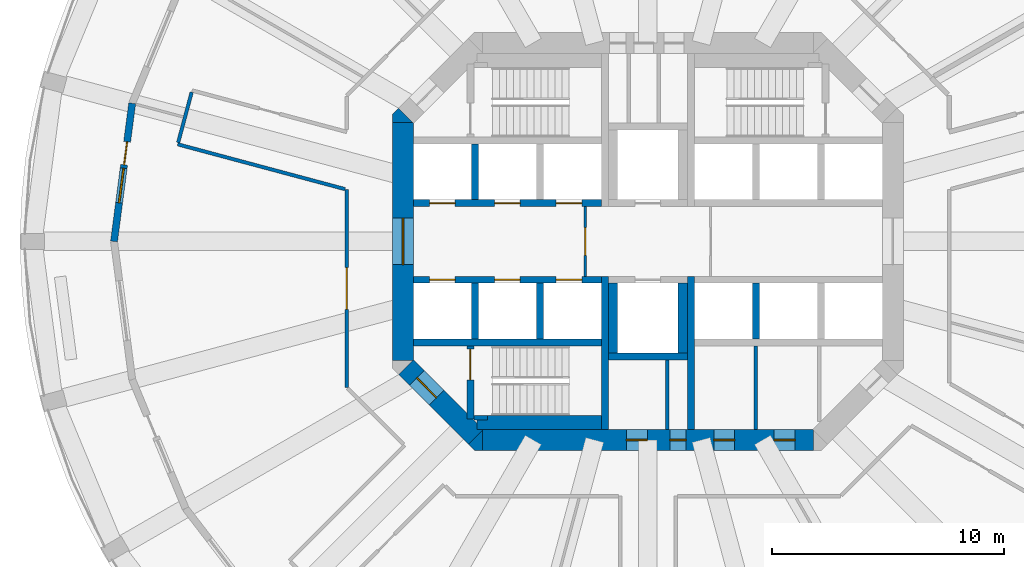
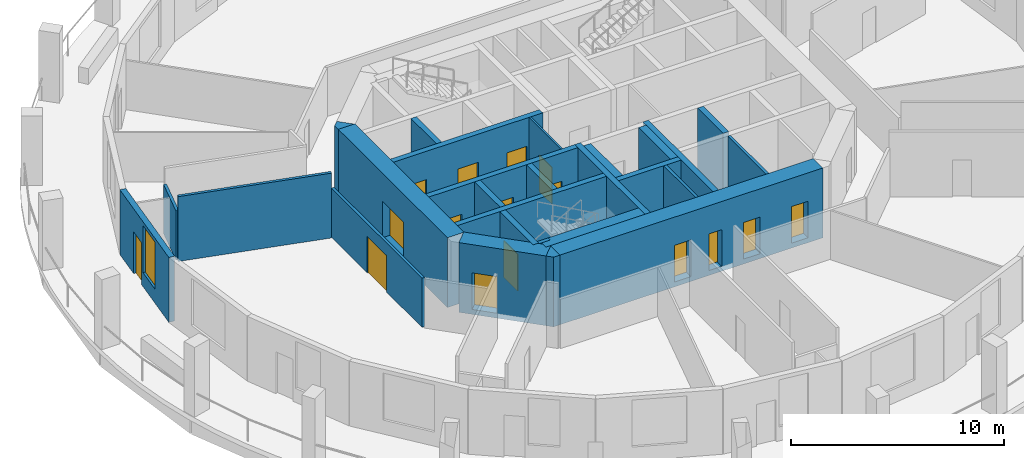
# One storey, part 3 of 9: 27 walls, 16 doors, 1 window, 17 openings.
"""IFC4 building model written with IfcOpenShell, lengths in metres."""

from ifc_helpers import new_model, si_unit, direction, frame, frame_2d, origin, place, context, subcontext, project, spatial, polyline, rectangle, outline, extrude, material, layer, layer_set, type_object, element, fill, save


model = new_model("IFC4")

# Units and contexts
model_context = context("Model", 3, precision=1e-05, world=origin(), true_north=direction((0.0, 1.0)))
body_context = subcontext(model_context, "Body", "Model", "MODEL_VIEW")
ifc_project = project(units=[si_unit("LENGTHUNIT", "METRE"), si_unit("AREAUNIT", "SQUARE_METRE"), si_unit("VOLUMEUNIT", "CUBIC_METRE"), si_unit("PLANEANGLEUNIT", "RADIAN"), si_unit("MASSUNIT", "GRAM", prefix="KILO")], contexts=[model_context])

# Site, building, storey
site_placement = place(None, origin())
site = spatial("IfcSite", under=ifc_project, at=site_placement, CompositionType="ELEMENT")
building_placement = place(site_placement, origin())
building = spatial("IfcBuilding", under=site, at=building_placement, Name="Torre Triforio", CompositionType="ELEMENT")
storey_placement = place(building_placement, frame((0.0, 0.0, 43.0)))
storey = spatial("IfcBuildingStorey", under=building, at=storey_placement, Name="L08", CompositionType="ELEMENT", Elevation=43.0)

# Walls
ifc_material_1 = material(Name="Concrete C60", Category="concrete")
ifc_layer_1 = layer(ifc_material_1, 0.300048828125)
ifc_layer_set_1 = layer_set([ifc_layer_1], Name="Concrete C60")
wall_type_1 = type_object("IfcWallType", Name="Core wall 300 mm C60 EI 120", PredefinedType="SHEAR", material=ifc_layer_set_1)
for number, where, z_axis, x_axis, name in (
    (1, (-1.85009765625, -8.10009765625, 0.0), (0.0, 0.0, 1.0), (0.0, 1.0, 0.0), "Core wall"),
    (2, (1.85009765625, -8.10009765625, 0.0), (0.0, 0.0, 1.0), (0.0, 1.0, 0.0), "Core wall"),
):
    element("IfcWall", number, at=place(storey_placement, frame(where, z_axis=z_axis, x_axis=x_axis)), inside=storey, type_object=wall_type_1, Name=name, PredefinedType="SHEAR", context=body_context, shape_type="SweptSolid", body=[
        extrude(rectangle(XDim=6.60009765625, YDim=0.300048828125, at=frame_2d((3.300048828125, 0.0))), origin(), (0.0, 0.0, 1.0), 3.719970703125),
    ])

# Wall, openings, doors
ifc_layer_2 = layer(ifc_material_1, 0.89990234375)
ifc_layer_set_2 = layer_set([ifc_layer_2], Name="Concrete C60")
wall_type_2 = type_object("IfcWallType", Name="Core wall 900 mm C60 EI 120", PredefinedType="SHEAR", material=ifc_layer_set_2)
wall_1_placement = place(storey_placement, frame((-7.1298828125, -8.550048828125, -0.280029296875), z_axis=(0.0, 0.0, 1.0), x_axis=(1.0, 0.0, 0.0)))
wall_1 = element("IfcWall", 3, at=wall_1_placement, inside=storey, type_object=wall_type_2, Name="Core wall", PredefinedType="SHEAR", context=body_context, shape_type="SweptSolid", body=[
    extrude(rectangle(XDim=14.259765625, YDim=0.89990234375, at=frame_2d((7.1298828125, 0.0))), origin(), (0.0, 0.0, 1.0), 4.0),
])
opening_1_placement = place(wall_1_placement, frame((8.080078125, 0.0, 0.280029296875)))
opening_1 = element("IfcOpeningElement", 4, at=opening_1_placement, cuts=wall_1, Name="Opening RISER-S", PredefinedType="OPENING", context=body_context, shape_type="SweptSolid", body=[
    extrude(rectangle(XDim=0.699951171875, YDim=2.10009765625, at=frame_2d((0.35009765625, 1.050048828125))), frame((0.0, 0.4599609375, 0.0), z_axis=(0.0, -1.0, 0.0), x_axis=(1.0, 0.0, 0.0)), (0.0, 0.0, 1.0), 0.919921875),
])
opening_2_placement = place(wall_1_placement, frame((6.205078125, 0.0, 0.280029296875)))
opening_2 = element("IfcOpeningElement", 5, at=opening_2_placement, cuts=wall_1, Name="Opening SW-01B", PredefinedType="OPENING", context=body_context, shape_type="SweptSolid", body=[
    extrude(rectangle(XDim=0.89990234375, YDim=2.10009765625, at=frame_2d((0.449951171875, 1.050048828125))), frame((0.0, 0.4599609375, 0.0), z_axis=(0.0, -1.0, 0.0), x_axis=(1.0, 0.0, 0.0)), (0.0, 0.0, 1.0), 0.919921875),
])
opening_3_placement = place(wall_1_placement, frame((9.967041015625, 0.0, 0.280029296875)))
opening_3 = element("IfcOpeningElement", 6, at=opening_3_placement, cuts=wall_1, Name="Opening SE-01A", PredefinedType="OPENING", context=body_context, shape_type="SweptSolid", body=[
    extrude(rectangle(XDim=0.89990234375, YDim=2.10009765625, at=frame_2d((0.449951171875, 1.050048828125))), frame((0.0, 0.4599609375, 0.0), z_axis=(0.0, -1.0, 0.0), x_axis=(1.0, 0.0, 0.0)), (0.0, 0.0, 1.0), 0.919921875),
])
opening_4_placement = place(wall_1_placement, frame((12.56689453125, 0.0, 0.280029296875)))
opening_4 = element("IfcOpeningElement", 7, at=opening_4_placement, cuts=wall_1, Name="Opening SE-02", PredefinedType="OPENING", context=body_context, shape_type="SweptSolid", body=[
    extrude(rectangle(XDim=0.89990234375, YDim=2.10009765625, at=frame_2d((0.449951171875, 1.050048828125))), frame((0.0, 0.4599609375, 0.0), z_axis=(0.0, -1.0, 0.0), x_axis=(1.0, 0.0, 0.0)), (0.0, 0.0, 1.0), 0.919921875),
])
ifc_material_2 = material(Name="Hollow metal fire door leaf")
door_type_1 = type_object("IfcDoorType", Name="Riser door 700 x 2100 EI 60", OperationType="NOTDEFINED", PredefinedType="DOOR", material=ifc_material_2)
door_1_placement = place(opening_1_placement, origin())
door_1 = element("IfcDoor", 8, at=door_1_placement, inside=storey, type_object=door_type_1, Name="Core door RISER-S", OperationType="SINGLE_SWING_RIGHT", OverallHeight=2.10009765625, OverallWidth=0.699951171875, PredefinedType="DOOR", context=body_context, shape_type="SweptSolid", body=[
    extrude(rectangle(XDim=0.699951171875, YDim=2.10009765625, at=frame_2d((0.35009765625, 1.050048828125))), frame((0.0, 0.02490234375, 0.0), z_axis=(0.0, -1.0, 0.0), x_axis=(1.0, 0.0, 0.0)), (0.0, 0.0, 1.0), 0.050048828125),
])
fill(opening_1, door_1)
door_type_2 = type_object("IfcDoorType", Name="Room door 900 x 2100 EI 60", OperationType="NOTDEFINED", PredefinedType="DOOR", material=ifc_material_2)
door_2_placement = place(opening_2_placement, origin())
door_2 = element("IfcDoor", 9, at=door_2_placement, inside=storey, type_object=door_type_2, Name="Core door SW-01", OperationType="SINGLE_SWING_LEFT", OverallHeight=2.10009765625, OverallWidth=0.89990234375, PredefinedType="DOOR", context=body_context, shape_type="SweptSolid", body=[
    extrude(rectangle(XDim=0.89990234375, YDim=2.10009765625, at=frame_2d((0.449951171875, 1.050048828125))), frame((0.0, 0.02490234375, 0.0), z_axis=(0.0, -1.0, 0.0), x_axis=(1.0, 0.0, 0.0)), (0.0, 0.0, 1.0), 0.050048828125),
])
fill(opening_2, door_2)
door_3_placement = place(opening_3_placement, origin())
door_3 = element("IfcDoor", 10, at=door_3_placement, inside=storey, type_object=door_type_2, Name="Core door SE-01", OperationType="SINGLE_SWING_LEFT", OverallHeight=2.10009765625, OverallWidth=0.89990234375, PredefinedType="DOOR", context=body_context, shape_type="SweptSolid", body=[
    extrude(rectangle(XDim=0.89990234375, YDim=2.10009765625, at=frame_2d((0.449951171875, 1.050048828125))), frame((0.0, 0.02490234375, 0.0), z_axis=(0.0, -1.0, 0.0), x_axis=(1.0, 0.0, 0.0)), (0.0, 0.0, 1.0), 0.050048828125),
])
fill(opening_3, door_3)
door_4_placement = place(opening_4_placement, origin())
door_4 = element("IfcDoor", 11, at=door_4_placement, inside=storey, type_object=door_type_2, Name="Core door SE-02", OperationType="SINGLE_SWING_LEFT", OverallHeight=2.10009765625, OverallWidth=0.89990234375, PredefinedType="DOOR", context=body_context, shape_type="SweptSolid", body=[
    extrude(rectangle(XDim=0.89990234375, YDim=2.10009765625, at=frame_2d((0.449951171875, 1.050048828125))), frame((0.0, 0.02490234375, 0.0), z_axis=(0.0, -1.0, 0.0), x_axis=(1.0, 0.0, 0.0)), (0.0, 0.0, 1.0), 0.050048828125),
])
fill(opening_4, door_4)

# Wall, opening, door
wall_2_placement = place(storey_placement, frame((-10.550048828125, -5.1298828125, -0.280029296875), z_axis=(0.0, 0.0, 1.0), x_axis=(0.0, 1.0, 0.0)))
wall_2 = element("IfcWall", 12, at=wall_2_placement, inside=storey, type_object=wall_type_2, Name="Core wall", PredefinedType="SHEAR", context=body_context, shape_type="SweptSolid", body=[
    extrude(rectangle(XDim=10.259765625, YDim=0.89990234375, at=frame_2d((5.1298828125, 0.0))), origin(), (0.0, 0.0, 1.0), 4.0),
])
opening_5_placement = place(wall_2_placement, frame((4.1298828125, 0.0, 0.280029296875)))
opening_5 = element("IfcOpeningElement", 13, at=opening_5_placement, cuts=wall_2, Name="Opening W-RING", PredefinedType="OPENING", context=body_context, shape_type="SweptSolid", body=[
    extrude(rectangle(XDim=2.0, YDim=2.10009765625, at=frame_2d((1.0, 1.050048828125))), frame((0.0, 0.4599609375, 0.0), z_axis=(0.0, -1.0, 0.0), x_axis=(1.0, 0.0, 0.0)), (0.0, 0.0, 1.0), 0.919921875),
])
door_type_3 = type_object("IfcDoorType", Name="Lobby door 2000 x 2100 EI 60", OperationType="DOUBLE_DOOR_SINGLE_SWING", PredefinedType="DOOR", material=ifc_material_2)
door_5_placement = place(opening_5_placement, origin())
door_5 = element("IfcDoor", 14, at=door_5_placement, inside=storey, type_object=door_type_3, Name="Core door W-RING", OperationType="DOUBLE_DOOR_SINGLE_SWING", OverallHeight=2.10009765625, OverallWidth=2.0, PredefinedType="DOOR", context=body_context, shape_type="SweptSolid", body=[
    extrude(rectangle(XDim=2.0, YDim=2.10009765625, at=frame_2d((1.0, 1.050048828125))), frame((0.0, 0.02490234375, 0.0), z_axis=(0.0, -1.0, 0.0), x_axis=(1.0, 0.0, 0.0)), (0.0, 0.0, 1.0), 0.050048828125),
])
fill(opening_5, door_5)

wall_3_placement = place(storey_placement, frame((-7.418212890625, -8.418212890625, -0.280029296875), z_axis=(0.0, 0.0, 1.0), x_axis=(-0.707106781187, 0.707106781187, 0.0)))
wall_3 = element("IfcWall", 15, at=wall_3_placement, inside=storey, type_object=wall_type_2, Name="Core wall", PredefinedType="SHEAR", context=body_context, shape_type="SweptSolid", body=[
    extrude(rectangle(XDim=4.24267578125, YDim=0.89990234375, at=frame_2d((2.121337890625, 0.0))), origin(), (0.0, 0.0, 1.0), 4.0),
])
opening_6_placement = place(wall_3_placement, frame((2.392578125, 0.0, 0.280029296875)))
opening_6 = element("IfcOpeningElement", 16, at=opening_6_placement, cuts=wall_3, Name="Opening ST3-EXIT", PredefinedType="OPENING", context=body_context, shape_type="SweptSolid", body=[
    extrude(rectangle(XDim=1.199951171875, YDim=2.10009765625, at=frame_2d((0.60009765625, 1.050048828125))), frame((0.0, 0.4599609375, 0.0), z_axis=(0.0, -1.0, 0.0), x_axis=(1.0, 0.0, 0.0)), (0.0, 0.0, 1.0), 0.919921875),
])
door_type_4 = type_object("IfcDoorType", Name="Stair lobby door 1200 x 2100 EI 60", OperationType="NOTDEFINED", PredefinedType="DOOR", material=ifc_material_2)
door_6_placement = place(opening_6_placement, origin())
door_6 = element("IfcDoor", 17, at=door_6_placement, inside=storey, type_object=door_type_4, Name="Core door ST3-EXIT", OperationType="SINGLE_SWING_RIGHT", OverallHeight=2.10009765625, OverallWidth=1.199951171875, PredefinedType="DOOR", context=body_context, shape_type="SweptSolid", body=[
    extrude(rectangle(XDim=1.199951171875, YDim=2.10009765625, at=frame_2d((0.60009765625, 1.050048828125))), frame((0.0, 0.02490234375, 0.0), z_axis=(0.0, -1.0, 0.0), x_axis=(1.0, 0.0, 0.0)), (0.0, 0.0, 1.0), 0.050048828125),
])
fill(opening_6, door_6)

# Walls
wall_4_placement = place(storey_placement, frame((0.0, 0.0, -0.280029296875)))
element("IfcWall", 18, at=wall_4_placement, inside=storey, type_object=wall_type_2, Name="Core wall", PredefinedType="SHEAR", context=body_context, shape_type="SweptSolid", body=[
    extrude(outline(polyline([(-7.472900390625, -9.0), (-7.736328125, -8.736328125), (-7.1298828125, -8.1298828125), (-7.1298828125, -9.0), (-7.472900390625, -9.0)])), origin(), (0.0, 0.0, 1.0), 4.0),
])
wall_5_placement = place(storey_placement, frame((0.0, 0.0, -0.280029296875)))
element("IfcWall", 19, at=wall_5_placement, inside=storey, type_object=wall_type_2, Name="Core wall", PredefinedType="SHEAR", context=body_context, shape_type="SweptSolid", body=[
    extrude(outline(polyline([(-10.736328125, 5.736328125), (-10.1298828125, 5.1298828125), (-11.0, 5.1298828125), (-11.0, 5.472900390625), (-10.736328125, 5.736328125)])), origin(), (0.0, 0.0, 1.0), 4.0),
])

# Wall, opening, door
ifc_material_3 = material(Name="Plasterboard on metal studs")
ifc_layer_3 = layer(ifc_material_3, 0.14990234375)
ifc_layer_set_3 = layer_set([ifc_layer_3], Name="Plasterboard on metal studs")
wall_type_3 = type_object("IfcWallType", Name="Corridor and tenancy wall 150 mm EI 60", PredefinedType="PARTITIONING", material=ifc_layer_set_3)
wall_6_placement = place(storey_placement, frame((-12.97509765625, -6.291015625, 0.0), z_axis=(0.0, 0.0, 1.0), x_axis=(0.0, 1.0, 0.0)))
wall_6 = element("IfcWall", 20, at=wall_6_placement, inside=storey, type_object=wall_type_3, Name="Partition 14", PredefinedType="PARTITIONING", context=body_context, shape_type="SweptSolid", body=[
    extrude(rectangle(XDim=8.525390625, YDim=0.14990234375, at=frame_2d((4.2626953125, 0.0))), origin(), (0.0, 0.0, 1.0), 2.820068359375),
])
opening_7_placement = place(wall_6_placement, frame((3.362548828125, 0.0, 0.0)))
opening_7 = element("IfcOpeningElement", 21, at=opening_7_placement, cuts=wall_6, Name="Opening N2-04", PredefinedType="OPENING", context=body_context, shape_type="SweptSolid", body=[
    extrude(rectangle(XDim=1.800048828125, YDim=2.10009765625, at=frame_2d((0.89990234375, 1.050048828125))), frame((0.0, 0.0849609375, 0.0), z_axis=(0.0, -1.0, 0.0), x_axis=(1.0, 0.0, 0.0)), (0.0, 0.0, 1.0), 0.169921875),
])
ifc_material_4 = material(Name="Timber", Category="wood")
door_type_5 = type_object("IfcDoorType", Name="Door 1800 x 2100 double leaf EI 30", OperationType="DOUBLE_DOOR_SINGLE_SWING", PredefinedType="DOOR", material=ifc_material_4)
door_7_placement = place(opening_7_placement, origin())
door_7 = element("IfcDoor", 22, at=door_7_placement, inside=storey, type_object=door_type_5, Name="Door N2-04", OperationType="DOUBLE_DOOR_SINGLE_SWING", OverallHeight=2.10009765625, OverallWidth=1.800048828125, PredefinedType="DOOR", context=body_context, shape_type="SweptSolid", body=[
    extrude(rectangle(XDim=1.800048828125, YDim=2.10009765625, at=frame_2d((0.89990234375, 1.050048828125))), frame((0.0, 0.02490234375, 0.0), z_axis=(0.0, -1.0, 0.0), x_axis=(1.0, 0.0, 0.0)), (0.0, 0.0, 1.0), 0.050048828125),
])
fill(opening_7, door_7)

# Walls
wall_7_placement = place(storey_placement, frame((-13.044921875, 2.253173828125, 0.0), z_axis=(0.0, 0.0, 1.0), x_axis=(-0.965924840231, 0.258822725092, 0.0)))
element("IfcWall", 23, at=wall_7_placement, inside=storey, type_object=wall_type_3, Name="Partition 15", PredefinedType="PARTITIONING", context=body_context, shape_type="SweptSolid", body=[
    extrude(rectangle(XDim=7.465087890625, YDim=0.14990234375, at=frame_2d((3.732421875, 0.0))), origin(), (0.0, 0.0, 1.0), 3.719970703125),
])
wall_8_placement = place(storey_placement, frame((-20.236328125, 4.257568359375, 0.0), z_axis=(0.0, 0.0, 1.0), x_axis=(0.258891558609, 0.965906393436, 0.0)))
element("IfcWall", 24, at=wall_8_placement, inside=storey, type_object=wall_type_3, Name="Partition 16", PredefinedType="PARTITIONING", context=body_context, shape_type="SweptSolid", body=[
    extrude(rectangle(XDim=2.25, YDim=0.14990234375, at=frame_2d((1.125, 0.0))), origin(), (0.0, 0.0, 1.0), 2.820068359375),
])

# Wall, opening, door
ifc_material_5 = material(Name="Block and board partition")
ifc_layer_4 = layer(ifc_material_5, 0.10009765625)
ifc_layer_set_4 = layer_set([ifc_layer_4], Name="Block and board partition")
wall_type_4 = type_object("IfcWallType", Name="Partition 100 mm EI 120", PredefinedType="PARTITIONING", material=ifc_layer_set_4)
wall_9_placement = place(storey_placement, frame((-2.699951171875, -1.5, 0.0), z_axis=(0.0, 0.0, 1.0), x_axis=(0.0, 1.0, 0.0)))
wall_9 = element("IfcWall", 25, at=wall_9_placement, inside=storey, type_object=wall_type_4, Name="Partition", PredefinedType="PARTITIONING", context=body_context, shape_type="SweptSolid", body=[
    extrude(rectangle(XDim=3.0, YDim=0.10009765625, at=frame_2d((1.5, 0.0))), origin(), (0.0, 0.0, 1.0), 3.719970703125),
])
opening_8_placement = place(wall_9_placement, frame((0.89990234375, 0.0, 0.0)))
opening_8 = element("IfcOpeningElement", 26, at=opening_8_placement, cuts=wall_9, Name="Opening FF-W", PredefinedType="OPENING", context=body_context, shape_type="SweptSolid", body=[
    extrude(rectangle(XDim=1.199951171875, YDim=2.10009765625, at=frame_2d((0.60009765625, 1.050048828125))), frame((0.0, 0.06005859375, 0.0), z_axis=(0.0, -1.0, 0.0), x_axis=(1.0, 0.0, 0.0)), (0.0, 0.0, 1.0), 0.1201171875),
])
door_type_6 = type_object("IfcDoorType", Name="Fire-fighting lobby door 1200 x 2100 EI 60", OperationType="NOTDEFINED", PredefinedType="DOOR", material=ifc_material_2)
door_8_placement = place(opening_8_placement, origin())
door_8 = element("IfcDoor", 27, at=door_8_placement, inside=storey, type_object=door_type_6, Name="Core door FF-W", OperationType="SINGLE_SWING_RIGHT", OverallHeight=2.10009765625, OverallWidth=1.199951171875, PredefinedType="DOOR", context=body_context, shape_type="SweptSolid", body=[
    extrude(rectangle(XDim=1.199951171875, YDim=2.10009765625, at=frame_2d((0.60009765625, 1.050048828125))), frame((0.0, 0.02490234375, 0.0), z_axis=(0.0, -1.0, 0.0), x_axis=(1.0, 0.0, 0.0)), (0.0, 0.0, 1.0), 0.050048828125),
])
fill(opening_8, door_8)

# Walls
ifc_layer_5 = layer(ifc_material_5, 0.14990234375)
ifc_layer_set_5 = layer_set([ifc_layer_5], Name="Block and board partition")
wall_type_5 = type_object("IfcWallType", Name="Partition 150 mm", PredefinedType="PARTITIONING", material=ifc_layer_set_5)
wall_10_placement = place(storey_placement, frame((4.64892578125, -8.10009765625, 0.0), z_axis=(0.0, 0.0, 1.0), x_axis=(0.0, 1.0, 0.0)))
element("IfcWall", 28, at=wall_10_placement, inside=storey, type_object=wall_type_5, Name="Partition", PredefinedType="PARTITIONING", context=body_context, shape_type="SweptSolid", body=[
    extrude(rectangle(XDim=3.60009765625, YDim=0.14990234375, at=frame_2d((1.800048828125, 0.0))), origin(), (0.0, 0.0, 1.0), 3.719970703125),
])
ifc_layer_6 = layer(ifc_material_5, 0.14990234375)
ifc_layer_set_6 = layer_set([ifc_layer_6], Name="Block and board partition")
wall_type_6 = type_object("IfcWallType", Name="Partition 150 mm EI 120", PredefinedType="PARTITIONING", material=ifc_layer_set_6)
wall_11_placement = place(storey_placement, frame((0.824951171875, -8.10009765625, 0.0), z_axis=(0.0, 0.0, 1.0), x_axis=(0.0, 1.0, 0.0)))
element("IfcWall", 29, at=wall_11_placement, inside=storey, type_object=wall_type_6, Name="Partition", PredefinedType="PARTITIONING", context=body_context, shape_type="SweptSolid", body=[
    extrude(rectangle(XDim=3.0, YDim=0.14990234375, at=frame_2d((1.5, 0.0))), origin(), (0.0, 0.0, 1.0), 3.719970703125),
])
ifc_layer_7 = layer(ifc_material_1, 0.300048828125)
ifc_layer_set_7 = layer_set([ifc_layer_7], Name="Concrete C60")
wall_type_7 = type_object("IfcWallType", Name="Shaft wall 300 mm C60 EI 120", PredefinedType="SOLIDWALL", material=ifc_layer_set_7)
wall_12_placement = place(storey_placement, frame((-10.10009765625, -4.35009765625, 0.0), z_axis=(0.0, 0.0, 1.0), x_axis=(1.0, 0.0, 0.0)))
element("IfcWall", 30, at=wall_12_placement, inside=storey, type_object=wall_type_7, Name="Shaft wall", PredefinedType="SOLIDWALL", context=body_context, shape_type="SweptSolid", body=[
    extrude(rectangle(XDim=8.10009765625, YDim=0.300048828125, at=frame_2d((4.050048828125, 0.0))), origin(), (0.0, 0.0, 1.0), 3.719970703125),
])

# Wall, openings, doors
wall_13_placement = place(storey_placement, frame((-10.10009765625, 1.64990234375, 0.0), z_axis=(0.0, 0.0, 1.0), x_axis=(1.0, 0.0, 0.0)))
wall_13 = element("IfcWall", 31, at=wall_13_placement, inside=storey, type_object=wall_type_7, Name="Shaft wall", PredefinedType="SOLIDWALL", context=body_context, shape_type="SweptSolid", body=[
    extrude(rectangle(XDim=8.10009765625, YDim=0.300048828125, at=frame_2d((4.050048828125, 0.0))), origin(), (0.0, 0.0, 1.0), 3.719970703125),
])
opening_9_placement = place(wall_13_placement, frame((0.699951171875, 0.0, 0.0)))
opening_9 = element("IfcOpeningElement", 32, at=opening_9_placement, cuts=wall_13, Name="Opening LD", PredefinedType="OPENING", context=body_context, shape_type="SweptSolid", body=[
    extrude(rectangle(XDim=1.10009765625, YDim=2.10009765625, at=frame_2d((0.550048828125, 1.050048828125))), frame((0.0, 0.159912109375, 0.0), z_axis=(0.0, -1.0, 0.0), x_axis=(1.0, 0.0, 0.0)), (0.0, 0.0, 1.0), 0.320068359375),
])
opening_10_placement = place(wall_13_placement, frame((3.5, 0.0, 0.0)))
opening_10 = element("IfcOpeningElement", 33, at=opening_10_placement, cuts=wall_13, Name="Opening LD", PredefinedType="OPENING", context=body_context, shape_type="SweptSolid", body=[
    extrude(rectangle(XDim=1.10009765625, YDim=2.10009765625, at=frame_2d((0.550048828125, 1.050048828125))), frame((0.0, 0.159912109375, 0.0), z_axis=(0.0, -1.0, 0.0), x_axis=(1.0, 0.0, 0.0)), (0.0, 0.0, 1.0), 0.320068359375),
])
opening_11_placement = place(wall_13_placement, frame((6.14990234375, 0.0, 0.0)))
opening_11 = element("IfcOpeningElement", 34, at=opening_11_placement, cuts=wall_13, Name="Opening LD", PredefinedType="OPENING", context=body_context, shape_type="SweptSolid", body=[
    extrude(rectangle(XDim=1.10009765625, YDim=2.10009765625, at=frame_2d((0.550048828125, 1.050048828125))), frame((0.0, 0.159912109375, 0.0), z_axis=(0.0, -1.0, 0.0), x_axis=(1.0, 0.0, 0.0)), (0.0, 0.0, 1.0), 0.320068359375),
])
door_type_7 = type_object("IfcDoorType", Name="Landing door 1100 x 2100 EI 60", OperationType="DOUBLE_DOOR_SLIDING", PredefinedType="DOOR", material=ifc_material_2)
door_9_placement = place(opening_9_placement, origin())
door_9 = element("IfcDoor", 35, at=door_9_placement, inside=storey, type_object=door_type_7, Name="Landing door LR1", OperationType="DOUBLE_DOOR_SLIDING", OverallHeight=2.10009765625, OverallWidth=1.10009765625, PredefinedType="DOOR", context=body_context, shape_type="SweptSolid", body=[
    extrude(rectangle(XDim=1.10009765625, YDim=2.10009765625, at=frame_2d((0.550048828125, 1.050048828125))), frame((0.0, 0.02490234375, 0.0), z_axis=(0.0, -1.0, 0.0), x_axis=(1.0, 0.0, 0.0)), (0.0, 0.0, 1.0), 0.050048828125),
])
fill(opening_9, door_9)
door_10_placement = place(opening_10_placement, origin())
door_10 = element("IfcDoor", 36, at=door_10_placement, inside=storey, type_object=door_type_7, Name="Landing door LR2", OperationType="DOUBLE_DOOR_SLIDING", OverallHeight=2.10009765625, OverallWidth=1.10009765625, PredefinedType="DOOR", context=body_context, shape_type="SweptSolid", body=[
    extrude(rectangle(XDim=1.10009765625, YDim=2.10009765625, at=frame_2d((0.550048828125, 1.050048828125))), frame((0.0, 0.02490234375, 0.0), z_axis=(0.0, -1.0, 0.0), x_axis=(1.0, 0.0, 0.0)), (0.0, 0.0, 1.0), 0.050048828125),
])
fill(opening_10, door_10)
door_11_placement = place(opening_11_placement, origin())
door_11 = element("IfcDoor", 37, at=door_11_placement, inside=storey, type_object=door_type_7, Name="Landing door LR3", OperationType="DOUBLE_DOOR_SLIDING", OverallHeight=2.10009765625, OverallWidth=1.10009765625, PredefinedType="DOOR", context=body_context, shape_type="SweptSolid", body=[
    extrude(rectangle(XDim=1.10009765625, YDim=2.10009765625, at=frame_2d((0.550048828125, 1.050048828125))), frame((0.0, 0.02490234375, 0.0), z_axis=(0.0, -1.0, 0.0), x_axis=(1.0, 0.0, 0.0)), (0.0, 0.0, 1.0), 0.050048828125),
])
fill(opening_11, door_11)

wall_14_placement = place(storey_placement, frame((-10.10009765625, -1.64990234375, 0.0), z_axis=(0.0, 0.0, 1.0), x_axis=(1.0, 0.0, 0.0)))
wall_14 = element("IfcWall", 38, at=wall_14_placement, inside=storey, type_object=wall_type_7, Name="Shaft wall", PredefinedType="SOLIDWALL", context=body_context, shape_type="SweptSolid", body=[
    extrude(rectangle(XDim=8.10009765625, YDim=0.300048828125, at=frame_2d((4.050048828125, 0.0))), origin(), (0.0, 0.0, 1.0), 3.719970703125),
])
opening_12_placement = place(wall_14_placement, frame((0.699951171875, 0.0, 0.0)))
opening_12 = element("IfcOpeningElement", 39, at=opening_12_placement, cuts=wall_14, Name="Opening LD", PredefinedType="OPENING", context=body_context, shape_type="SweptSolid", body=[
    extrude(rectangle(XDim=1.10009765625, YDim=2.10009765625, at=frame_2d((0.550048828125, 1.050048828125))), frame((0.0, 0.159912109375, 0.0), z_axis=(0.0, -1.0, 0.0), x_axis=(1.0, 0.0, 0.0)), (0.0, 0.0, 1.0), 0.320068359375),
])
opening_13_placement = place(wall_14_placement, frame((3.5, 0.0, 0.0)))
opening_13 = element("IfcOpeningElement", 40, at=opening_13_placement, cuts=wall_14, Name="Opening LD", PredefinedType="OPENING", context=body_context, shape_type="SweptSolid", body=[
    extrude(rectangle(XDim=1.10009765625, YDim=2.10009765625, at=frame_2d((0.550048828125, 1.050048828125))), frame((0.0, 0.159912109375, 0.0), z_axis=(0.0, -1.0, 0.0), x_axis=(1.0, 0.0, 0.0)), (0.0, 0.0, 1.0), 0.320068359375),
])
opening_14_placement = place(wall_14_placement, frame((6.14990234375, 0.0, 0.0)))
opening_14 = element("IfcOpeningElement", 41, at=opening_14_placement, cuts=wall_14, Name="Opening LD", PredefinedType="OPENING", context=body_context, shape_type="SweptSolid", body=[
    extrude(rectangle(XDim=1.10009765625, YDim=2.10009765625, at=frame_2d((0.550048828125, 1.050048828125))), frame((0.0, 0.159912109375, 0.0), z_axis=(0.0, -1.0, 0.0), x_axis=(1.0, 0.0, 0.0)), (0.0, 0.0, 1.0), 0.320068359375),
])
door_12_placement = place(opening_12_placement, origin())
door_12 = element("IfcDoor", 42, at=door_12_placement, inside=storey, type_object=door_type_7, Name="Landing door LR4", OperationType="DOUBLE_DOOR_SLIDING", OverallHeight=2.10009765625, OverallWidth=1.10009765625, PredefinedType="DOOR", context=body_context, shape_type="SweptSolid", body=[
    extrude(rectangle(XDim=1.10009765625, YDim=2.10009765625, at=frame_2d((0.550048828125, 1.050048828125))), frame((0.0, 0.02490234375, 0.0), z_axis=(0.0, -1.0, 0.0), x_axis=(1.0, 0.0, 0.0)), (0.0, 0.0, 1.0), 0.050048828125),
])
fill(opening_12, door_12)
door_13_placement = place(opening_13_placement, origin())
door_13 = element("IfcDoor", 43, at=door_13_placement, inside=storey, type_object=door_type_7, Name="Landing door LR5", OperationType="DOUBLE_DOOR_SLIDING", OverallHeight=2.10009765625, OverallWidth=1.10009765625, PredefinedType="DOOR", context=body_context, shape_type="SweptSolid", body=[
    extrude(rectangle(XDim=1.10009765625, YDim=2.10009765625, at=frame_2d((0.550048828125, 1.050048828125))), frame((0.0, 0.02490234375, 0.0), z_axis=(0.0, -1.0, 0.0), x_axis=(1.0, 0.0, 0.0)), (0.0, 0.0, 1.0), 0.050048828125),
])
fill(opening_13, door_13)
door_14_placement = place(opening_14_placement, origin())
door_14 = element("IfcDoor", 44, at=door_14_placement, inside=storey, type_object=door_type_7, Name="Landing door LR6", OperationType="DOUBLE_DOOR_SLIDING", OverallHeight=2.10009765625, OverallWidth=1.10009765625, PredefinedType="DOOR", context=body_context, shape_type="SweptSolid", body=[
    extrude(rectangle(XDim=1.10009765625, YDim=2.10009765625, at=frame_2d((0.550048828125, 1.050048828125))), frame((0.0, 0.02490234375, 0.0), z_axis=(0.0, -1.0, 0.0), x_axis=(1.0, 0.0, 0.0)), (0.0, 0.0, 1.0), 0.050048828125),
])
fill(opening_14, door_14)

# Walls
for number, where, z_axis, x_axis, name in (
    (45, (-7.449951171875, 1.800048828125, 0.0), (0.0, 0.0, 1.0), (0.0, 1.0, 0.0), "Shaft wall"),
    (46, (-7.449951171875, -4.199951171875, 0.0), (0.0, 0.0, 1.0), (0.0, 1.0, 0.0), "Shaft wall"),
    (47, (-4.64990234375, -4.199951171875, 0.0), (0.0, 0.0, 1.0), (0.0, 1.0, 0.0), "Shaft wall"),
    (48, (4.64990234375, -4.199951171875, 0.0), (0.0, 0.0, 1.0), (0.0, 1.0, 0.0), "Shaft wall"),
):
    element("IfcWall", number, at=place(storey_placement, frame(where, z_axis=z_axis, x_axis=x_axis)), inside=storey, type_object=wall_type_7, Name=name, PredefinedType="SOLIDWALL", context=body_context, shape_type="SweptSolid", body=[
        extrude(rectangle(XDim=2.39990234375, YDim=0.300048828125, at=frame_2d((1.199951171875, 0.0))), origin(), (0.0, 0.0, 1.0), 3.719970703125),
    ])
wall_15_placement = place(storey_placement, frame((-1.699951171875, -4.949951171875, 0.0), z_axis=(0.0, 0.0, 1.0), x_axis=(1.0, 0.0, 0.0)))
element("IfcWall", 49, at=wall_15_placement, inside=storey, type_object=wall_type_7, Name="Shaft wall", PredefinedType="SOLIDWALL", context=body_context, shape_type="SweptSolid", body=[
    extrude(rectangle(XDim=3.39990234375, YDim=0.300048828125, at=frame_2d((1.699951171875, 0.0))), origin(), (0.0, 0.0, 1.0), 3.719970703125),
])
ifc_layer_8 = layer(ifc_material_1, 0.39990234375)
ifc_layer_set_8 = layer_set([ifc_layer_8], Name="Concrete C60")
wall_type_8 = type_object("IfcWallType", Name="Shaft wall 400 mm C60 EI 120", PredefinedType="SOLIDWALL", material=ifc_layer_set_8)
for number, where, z_axis, x_axis, name in (
    (50, (-1.5, -4.800048828125, 0.0), (0.0, 0.0, 1.0), (0.0, 1.0, 0.0), "Shaft wall"),
    (51, (1.5, -4.800048828125, 0.0), (0.0, 0.0, 1.0), (0.0, 1.0, 0.0), "Shaft wall"),
):
    element("IfcWall", number, at=place(storey_placement, frame(where, z_axis=z_axis, x_axis=x_axis)), inside=storey, type_object=wall_type_8, Name=name, PredefinedType="SOLIDWALL", context=body_context, shape_type="SweptSolid", body=[
        extrude(rectangle(XDim=3.0, YDim=0.39990234375, at=frame_2d((1.5, 0.0))), origin(), (0.0, 0.0, 1.0), 3.719970703125),
    ])
ifc_layer_9 = layer(ifc_material_1, 0.199951171875)
ifc_layer_set_9 = layer_set([ifc_layer_9], Name="Concrete C60")
wall_type_9 = type_object("IfcWallType", Name="Stair wall 200 mm C60 EI 120", PredefinedType="SHEAR", material=ifc_layer_set_9)
wall_16_placement = place(storey_placement, frame((-7.5, -7.60009765625, 0.0), z_axis=(0.0, 0.0, 1.0), x_axis=(1.0, 0.0, 0.0)))
element("IfcWall", 52, at=wall_16_placement, inside=storey, type_object=wall_type_9, Name="Stair wall", PredefinedType="SHEAR", context=body_context, shape_type="SweptSolid", body=[
    extrude(rectangle(XDim=0.60009765625, YDim=0.199951171875, at=frame_2d((0.300048828125, 0.0))), origin(), (0.0, 0.0, 1.0), 3.719970703125),
])

# Wall, opening, door
ifc_layer_10 = layer(ifc_material_1, 0.300048828125)
ifc_layer_set_10 = layer_set([ifc_layer_10], Name="Concrete C60")
wall_type_10 = type_object("IfcWallType", Name="Stair wall 300 mm C60 EI 120", PredefinedType="SHEAR", material=ifc_layer_set_10)
wall_17_placement = place(storey_placement, frame((-7.64990234375, -7.639892578125, 0.0), z_axis=(0.0, 0.0, 1.0), x_axis=(0.0, 1.0, 0.0)))
wall_17 = element("IfcWall", 53, at=wall_17_placement, inside=storey, type_object=wall_type_10, Name="Stair wall", PredefinedType="SHEAR", context=body_context, shape_type="SweptSolid", body=[
    extrude(rectangle(XDim=3.139892578125, YDim=0.300048828125, at=frame_2d((1.56982421875, 0.0))), origin(), (0.0, 0.0, 1.0), 3.719970703125),
])
opening_15_placement = place(wall_17_placement, frame((1.679931640625, 0.0, 0.0)))
opening_15 = element("IfcOpeningElement", 54, at=opening_15_placement, cuts=wall_17, Name="Opening ST3-STA", PredefinedType="OPENING", context=body_context, shape_type="SweptSolid", body=[
    extrude(rectangle(XDim=1.320068359375, YDim=2.10009765625, at=frame_2d((0.66015625, 1.050048828125))), frame((0.0, 0.159912109375, 0.0), z_axis=(0.0, -1.0, 0.0), x_axis=(1.0, 0.0, 0.0)), (0.0, 0.0, 1.0), 0.320068359375),
])
door_type_8 = type_object("IfcDoorType", Name="Stair door 1320 x 2100 EI 90", OperationType="DOUBLE_DOOR_SINGLE_SWING", PredefinedType="DOOR", material=ifc_material_2)
door_15_placement = place(opening_15_placement, origin())
door_15 = element("IfcDoor", 55, at=door_15_placement, inside=storey, type_object=door_type_8, Name="Core door ST3-ST", OperationType="DOUBLE_DOOR_SINGLE_SWING", OverallHeight=2.10009765625, OverallWidth=1.320068359375, PredefinedType="DOOR", context=body_context, shape_type="SweptSolid", body=[
    extrude(rectangle(XDim=1.320068359375, YDim=2.10009765625, at=frame_2d((0.66015625, 1.050048828125))), frame((0.0, 0.02490234375, 0.0), z_axis=(0.0, -1.0, 0.0), x_axis=(1.0, 0.0, 0.0)), (0.0, 0.0, 1.0), 0.050048828125),
])
fill(opening_15, door_15)

# Wall
ifc_layer_11 = layer(ifc_material_1, 0.60009765625)
ifc_layer_set_11 = layer_set([ifc_layer_11], Name="Concrete C60")
wall_type_11 = type_object("IfcWallType", Name="Stair wall 600 mm C60 EI 120", PredefinedType="SHEAR", material=ifc_layer_set_11)
wall_18_placement = place(storey_placement, frame((-7.3701171875, -7.800048828125, 0.0), z_axis=(0.0, 0.0, 1.0), x_axis=(1.0, 0.0, 0.0)))
element("IfcWall", 56, at=wall_18_placement, inside=storey, type_object=wall_type_11, Name="Stair wall", PredefinedType="SHEAR", context=body_context, shape_type="SweptSolid", body=[
    extrude(rectangle(XDim=5.3701171875, YDim=0.60009765625, at=frame_2d((2.68505859375, 0.0))), origin(), (0.0, 0.0, 1.0), 3.719970703125),
])

# Wall, openings, door, window
ifc_material_6 = material(Name="Limestone cladding", Category="masonry")
ifc_layer_12 = layer(ifc_material_6, 0.10009765625)
ifc_material_7 = material(Name="Concrete C40", Category="concrete")
ifc_layer_13 = layer(ifc_material_7, 0.199951171875)
ifc_layer_set_12 = layer_set([ifc_layer_12, ifc_layer_13], Name="Limestone cladding / Concrete C40")
wall_type_12 = type_object("IfcWallType", Name="Stone-faced composite wall 300", PredefinedType="STANDARD", material=ifc_layer_set_12)
wall_19_placement = place(storey_placement, frame((-22.21630859375, 5.952880859375, 0.0), z_axis=(0.0, 0.0, 1.0), x_axis=(-0.130522880875, -0.991445297315, 0.0)))
wall_19 = element("IfcWall", 57, at=wall_19_placement, inside=storey, type_object=wall_type_12, Name="External wall L08 bay 12", PredefinedType="STANDARD", context=body_context, shape_type="SweptSolid", body=[
    extrude(rectangle(XDim=6.004150390625, YDim=0.300048828125, at=frame_2d((3.001953125, 0.0))), origin(), (0.0, 0.0, 1.0), 3.719970703125),
])
opening_16_placement = place(wall_19_placement, frame((1.677001953125, 0.0, 0.0)))
opening_16 = element("IfcOpeningElement", 58, at=opening_16_placement, cuts=wall_19, Name="Opening N2-D12", PredefinedType="OPENING", context=body_context, shape_type="SweptSolid", body=[
    extrude(rectangle(XDim=1.0, YDim=2.39990234375, at=frame_2d((0.5, 1.199951171875))), frame((0.0, 0.159912109375, 0.0), z_axis=(0.0, -1.0, 0.0), x_axis=(1.0, 0.0, 0.0)), (0.0, 0.0, 1.0), 0.320068359375),
])
opening_17_placement = place(wall_19_placement, frame((2.8271484375, 0.0, 0.800048828125)))
opening_17 = element("IfcOpeningElement", 59, at=opening_17_placement, cuts=wall_19, Name="Opening N2-W12A", PredefinedType="OPENING", context=body_context, shape_type="SweptSolid", body=[
    extrude(rectangle(XDim=1.5, YDim=2.699951171875, at=frame_2d((0.75, 1.35009765625))), frame((0.0, 0.159912109375, 0.0), z_axis=(0.0, -1.0, 0.0), x_axis=(1.0, 0.0, 0.0)), (0.0, 0.0, 1.0), 0.320068359375),
])
ifc_material_8 = material(Name="Aluminium frame with clear double glazing", Category="aluminium")
door_type_9 = type_object("IfcDoorType", Name="Loggia door 1000 x 2400", OperationType="NOTDEFINED", PredefinedType="DOOR", material=ifc_material_8)
door_16_placement = place(opening_16_placement, origin())
door_16 = element("IfcDoor", 60, at=door_16_placement, inside=storey, type_object=door_type_9, Name="Loggia door L08 bay 12", OperationType="SINGLE_SWING_LEFT", OverallHeight=2.39990234375, OverallWidth=1.0, PredefinedType="DOOR", context=body_context, shape_type="SweptSolid", body=[
    extrude(rectangle(XDim=1.0, YDim=2.39990234375, at=frame_2d((0.5, 1.199951171875))), frame((0.0, 0.02490234375, 0.0), z_axis=(0.0, -1.0, 0.0), x_axis=(1.0, 0.0, 0.0)), (0.0, 0.0, 1.0), 0.050048828125),
])
fill(opening_16, door_16)
window_type = type_object("IfcWindowType", Name="Side window 1500 x 2700", PartitioningType="SINGLE_PANEL", PredefinedType="WINDOW", material=ifc_material_8)
window_placement = place(opening_17_placement, origin())
window = element("IfcWindow", 61, at=window_placement, inside=storey, type_object=window_type, Name="Side window EWN12 L08 bay 12", OverallHeight=2.699951171875, OverallWidth=1.5, PartitioningType="SINGLE_PANEL", PredefinedType="WINDOW", context=body_context, shape_type="SweptSolid", body=[
    extrude(rectangle(XDim=1.5, YDim=2.699951171875, at=frame_2d((0.75, 1.35009765625))), frame((0.0, 0.030029296875, 0.0), z_axis=(0.0, -1.0, 0.0), x_axis=(1.0, 0.0, 0.0)), (0.0, 0.0, 1.0), 0.06005859375),
])
fill(opening_17, window)

save(model, "model.ifc")
